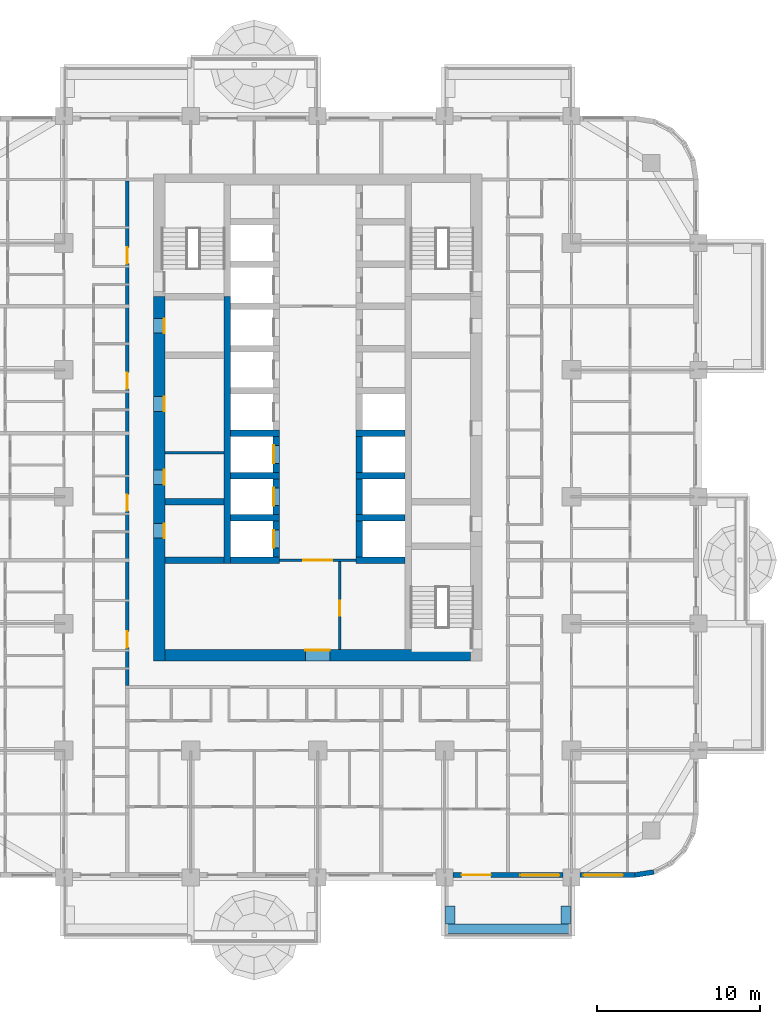
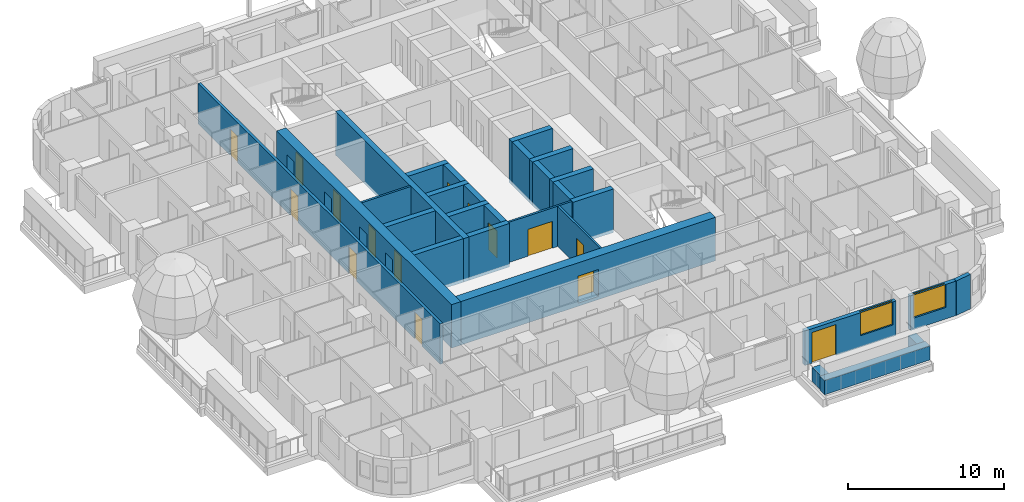
# One storey, part 6 of 18: 29 walls, 15 doors, 2 windows, 17 openings.
"""IFC4 building model written with IfcOpenShell, lengths in metres."""

from ifc_helpers import new_model, si_unit, direction, frame, frame_2d, origin, place, context, subcontext, project, spatial, rectangle, extrude, material, layer, layer_set, type_object, element, fill, save


model = new_model("IFC4")

# Units and contexts
model_context = context("Model", 3, precision=1e-05, world=origin(), true_north=direction((0.0, 1.0)))
body_context = subcontext(model_context, "Body", "Model", "MODEL_VIEW")
ifc_project = project(units=[si_unit("LENGTHUNIT", "METRE"), si_unit("AREAUNIT", "SQUARE_METRE"), si_unit("VOLUMEUNIT", "CUBIC_METRE"), si_unit("PLANEANGLEUNIT", "RADIAN"), si_unit("MASSUNIT", "GRAM", prefix="KILO")], contexts=[model_context])

# Site, building, storey
site_placement = place(None, origin())
site = spatial("IfcSite", under=ifc_project, at=site_placement, CompositionType="ELEMENT")
building_placement = place(site_placement, origin())
building = spatial("IfcBuilding", under=site, at=building_placement, Name="Ludao Terraces", CompositionType="ELEMENT")
storey_placement = place(building_placement, frame((0.0, 0.0, 26.300048828125)))
storey = spatial("IfcBuildingStorey", under=building, at=storey_placement, Name="L06", CompositionType="ELEMENT", Elevation=26.300048828125)

# Wall, openings, doors
ifc_material_1 = material(Name="Concrete C70", Category="concrete")
ifc_layer_1 = layer(ifc_material_1, 0.699951171875)
ifc_layer_set_1 = layer_set([ifc_layer_1], Name="Core wall 700 C70")
wall_type_1 = type_object("IfcWallType", Name="Core wall 700 C70", PredefinedType="SOLIDWALL", material=ifc_layer_set_1)
wall_1_placement = place(storey_placement, frame((75.25, 54.89990234375, -0.25), z_axis=(0.0, 0.0, 1.0), x_axis=(0.0, 1.0, 0.0)))
wall_1 = element("IfcWall", 1, at=wall_1_placement, inside=storey, type_object=wall_type_1, Name="Core wall L06 outer-W", PredefinedType="SOLIDWALL", context=body_context, shape_type="SweptSolid", body=[
    extrude(rectangle(XDim=22.400146484375, YDim=0.699951171875, at=frame_2d((11.2001953125, 0.0))), origin(), (0.0, 0.0, 1.0), 3.39990234375),
])
opening_1_placement = place(wall_1_placement, frame((7.550048828125, 0.0, 0.25)))
opening_1 = element("IfcOpeningElement", 2, at=opening_1_placement, cuts=wall_1, Name="Opening R01-075", PredefinedType="OPENING", context=body_context, shape_type="SweptSolid", body=[
    extrude(rectangle(XDim=0.89990234375, YDim=2.10009765625, at=frame_2d((0.449951171875, 1.050048828125))), frame((0.0, 0.35986328125, 0.0), z_axis=(0.0, -1.0, 0.0), x_axis=(1.0, 0.0, 0.0)), (0.0, 0.0, 1.0), 0.719970703125),
])
opening_2_placement = place(wall_1_placement, frame((10.85009765625, 0.0, 0.25)))
opening_2 = element("IfcOpeningElement", 3, at=opening_2_placement, cuts=wall_1, Name="Opening R01-087", PredefinedType="OPENING", context=body_context, shape_type="SweptSolid", body=[
    extrude(rectangle(XDim=0.89990234375, YDim=2.10009765625, at=frame_2d((0.449951171875, 1.050048828125))), frame((0.0, 0.35986328125, 0.0), z_axis=(0.0, -1.0, 0.0), x_axis=(1.0, 0.0, 0.0)), (0.0, 0.0, 1.0), 0.719970703125),
])
opening_3_placement = place(wall_1_placement, frame((15.35009765625, 0.0, 0.25)))
opening_3 = element("IfcOpeningElement", 4, at=opening_3_placement, cuts=wall_1, Name="Opening R01-101", PredefinedType="OPENING", context=body_context, shape_type="SweptSolid", body=[
    extrude(rectangle(XDim=0.89990234375, YDim=2.10009765625, at=frame_2d((0.449951171875, 1.050048828125))), frame((0.0, 0.35986328125, 0.0), z_axis=(0.0, -1.0, 0.0), x_axis=(1.0, 0.0, 0.0)), (0.0, 0.0, 1.0), 0.719970703125),
])
opening_4_placement = place(wall_1_placement, frame((20.14990234375, 0.0, 0.25)))
opening_4 = element("IfcOpeningElement", 5, at=opening_4_placement, cuts=wall_1, Name="Opening R01-117", PredefinedType="OPENING", context=body_context, shape_type="SweptSolid", body=[
    extrude(rectangle(XDim=0.89990234375, YDim=2.10009765625, at=frame_2d((0.449951171875, 1.050048828125))), frame((0.0, 0.35986328125, 0.0), z_axis=(0.0, -1.0, 0.0), x_axis=(1.0, 0.0, 0.0)), (0.0, 0.0, 1.0), 0.719970703125),
])
ifc_material_2 = material(Name="Steel Q235", Category="steel")
door_type_1 = type_object("IfcDoorType", Name="INT Riser door 900", OperationType="SINGLE_SWING_LEFT", PredefinedType="DOOR", material=ifc_material_2)
door_1_placement = place(opening_1_placement, origin())
door_1 = element("IfcDoor", 6, at=door_1_placement, inside=storey, type_object=door_type_1, Name="DOOR 075", OperationType="SINGLE_SWING_LEFT", OverallHeight=2.10009765625, OverallWidth=0.89990234375, PredefinedType="DOOR", context=body_context, shape_type="SweptSolid", body=[
    extrude(rectangle(XDim=0.89990234375, YDim=2.10009765625, at=frame_2d((0.449951171875, 1.050048828125))), frame((0.0, -0.28515625, 0.0), z_axis=(0.0, -1.0, 0.0), x_axis=(1.0, 0.0, 0.0)), (0.0, 0.0, 1.0), 0.050048828125),
])
fill(opening_1, door_1)
door_2_placement = place(opening_4_placement, origin())
door_2 = element("IfcDoor", 7, at=door_2_placement, inside=storey, type_object=door_type_1, Name="DOOR 117", OperationType="SINGLE_SWING_RIGHT", OverallHeight=2.10009765625, OverallWidth=0.89990234375, PredefinedType="DOOR", context=body_context, shape_type="SweptSolid", body=[
    extrude(rectangle(XDim=0.89990234375, YDim=2.10009765625, at=frame_2d((0.449951171875, 1.050048828125))), frame((0.0, -0.28515625, 0.0), z_axis=(0.0, -1.0, 0.0), x_axis=(1.0, 0.0, 0.0)), (0.0, 0.0, 1.0), 0.050048828125),
])
fill(opening_4, door_2)
ifc_material_3 = material(Name="Timber door leaf", Category="wood")
door_type_2 = type_object("IfcDoorType", Name="INT Room door 900", OperationType="SINGLE_SWING_LEFT", PredefinedType="DOOR", material=ifc_material_3)
door_3_placement = place(opening_2_placement, origin())
door_3 = element("IfcDoor", 8, at=door_3_placement, inside=storey, type_object=door_type_2, Name="DOOR 087", OperationType="SINGLE_SWING_RIGHT", OverallHeight=2.10009765625, OverallWidth=0.89990234375, PredefinedType="DOOR", context=body_context, shape_type="SweptSolid", body=[
    extrude(rectangle(XDim=0.89990234375, YDim=2.10009765625, at=frame_2d((0.449951171875, 1.050048828125))), frame((0.0, -0.28515625, 0.0), z_axis=(0.0, -1.0, 0.0), x_axis=(1.0, 0.0, 0.0)), (0.0, 0.0, 1.0), 0.050048828125),
])
fill(opening_2, door_3)
door_4_placement = place(opening_3_placement, origin())
door_4 = element("IfcDoor", 9, at=door_4_placement, inside=storey, type_object=door_type_2, Name="DOOR 101", OperationType="SINGLE_SWING_LEFT", OverallHeight=2.10009765625, OverallWidth=0.89990234375, PredefinedType="DOOR", context=body_context, shape_type="SweptSolid", body=[
    extrude(rectangle(XDim=0.89990234375, YDim=2.10009765625, at=frame_2d((0.449951171875, 1.050048828125))), frame((0.0, -0.28515625, 0.0), z_axis=(0.0, -1.0, 0.0), x_axis=(1.0, 0.0, 0.0)), (0.0, 0.0, 1.0), 0.050048828125),
])
fill(opening_3, door_4)

# Wall, opening, door
wall_2_placement = place(storey_placement, frame((75.60009765625, 55.25, -0.25), z_axis=(0.0, 0.0, 1.0), x_axis=(1.0, 0.0, 0.0)))
wall_2 = element("IfcWall", 10, at=wall_2_placement, inside=storey, type_object=wall_type_1, Name="Core wall L06 outer-S", PredefinedType="SOLIDWALL", context=body_context, shape_type="SweptSolid", body=[
    extrude(rectangle(XDim=18.7998046875, YDim=0.699951171875, at=frame_2d((9.39990234375, 0.0))), origin(), (0.0, 0.0, 1.0), 3.39990234375),
])
opening_5_placement = place(wall_2_placement, frame((8.64990234375, 0.0, 0.25)))
opening_5 = element("IfcOpeningElement", 11, at=opening_5_placement, cuts=wall_2, Name="Opening R01-051", PredefinedType="OPENING", context=body_context, shape_type="SweptSolid", body=[
    extrude(rectangle(XDim=1.5, YDim=2.10009765625, at=frame_2d((0.75, 1.050048828125))), frame((0.0, 0.35986328125, 0.0), z_axis=(0.0, -1.0, 0.0), x_axis=(1.0, 0.0, 0.0)), (0.0, 0.0, 1.0), 0.719970703125),
])
door_type_3 = type_object("IfcDoorType", Name="INT Lobby door 1500", OperationType="DOUBLE_DOOR_SINGLE_SWING", PredefinedType="DOOR", material=ifc_material_2)
door_5_placement = place(opening_5_placement, origin())
door_5 = element("IfcDoor", 12, at=door_5_placement, inside=storey, type_object=door_type_3, Name="DOOR 051", OperationType="DOUBLE_DOOR_SINGLE_SWING", OverallHeight=2.10009765625, OverallWidth=1.5, PredefinedType="DOOR", context=body_context, shape_type="SweptSolid", body=[
    extrude(rectangle(XDim=1.5, YDim=2.10009765625, at=frame_2d((0.75, 1.050048828125))), frame((0.0, 0.3349609375, 0.0), z_axis=(0.0, -1.0, 0.0), x_axis=(1.0, 0.0, 0.0)), (0.0, 0.0, 1.0), 0.050048828125),
])
fill(opening_5, door_5)

# Walls
ifc_material_4 = material(Name="Concrete C40", Category="concrete")
ifc_layer_2 = layer(ifc_material_4, 0.60009765625)
ifc_layer_set_2 = layer_set([ifc_layer_2], Name="ENV Planter trough 600")
wall_type_2 = type_object("IfcWallType", Name="ENV Planter trough 600", PredefinedType="USERDEFINED", material=ifc_layer_set_2)
wall_3_placement = place(storey_placement, frame((92.800048828125, 38.449951171875, 0.0), z_axis=(0.0, 0.0, 1.0), x_axis=(1.0, 0.0, 0.0)))
element("IfcWall", 13, at=wall_3_placement, inside=storey, type_object=wall_type_2, Name="PL-L06-S4", ObjectType="PLANTER", PredefinedType="USERDEFINED", context=body_context, shape_type="SweptSolid", body=[
    extrude(rectangle(XDim=7.800048828125, YDim=0.60009765625, at=frame_2d((3.89990234375, 0.0))), origin(), (0.0, 0.0, 1.0), 1.099853515625),
])
for number, where, z_axis, x_axis, name in (
    (14, (93.14990234375, 38.75, 0.0), (0.0, 0.0, 1.0), (0.0, 1.0, 0.0), "PL-L06-S4-SA"),
    (15, (100.25, 38.75, 0.0), (0.0, 0.0, 1.0), (0.0, 1.0, 0.0), "PL-L06-S4-SB"),
):
    element("IfcWall", number, at=place(storey_placement, frame(where, z_axis=z_axis, x_axis=x_axis)), inside=storey, type_object=wall_type_2, Name=name, ObjectType="PLANTER", PredefinedType="USERDEFINED", context=body_context, shape_type="SweptSolid", body=[
        extrude(rectangle(XDim=1.10009765625, YDim=0.60009765625, at=frame_2d((0.550048828125, 0.0))), origin(), (0.0, 0.0, 1.0), 1.099853515625),
    ])

# Wall, openings, door, window
ifc_material_5 = material(Name="Granite cladding", Category="masonry")
ifc_layer_3 = layer(ifc_material_5, 0.0400390625, Category="stone")
ifc_material_6 = material(Name="Mineral wool")
ifc_layer_4 = layer(ifc_material_6, 0.06005859375)
ifc_layer_5 = layer(ifc_material_4, 0.199951171875, Category="concrete")
ifc_layer_set_3 = layer_set([ifc_layer_3, ifc_layer_4, ifc_layer_5], Name="ENV Stone-clad wall 300")
wall_type_3 = type_object("IfcWallType", Name="ENV Stone-clad wall 300", PredefinedType="SOLIDWALL", material=ifc_layer_set_3)
wall_4_placement = place(storey_placement, frame((93.324951171875, 41.75, 0.0), z_axis=(0.0, 0.0, 1.0), x_axis=(1.0, 0.0, 0.0)))
wall_4 = element("IfcWall", 16, at=wall_4_placement, inside=storey, type_object=wall_type_3, Name="EW-L06-S5", PredefinedType="SOLIDWALL", context=body_context, shape_type="SweptSolid", body=[
    extrude(rectangle(XDim=6.75, YDim=0.300048828125, at=frame_2d((3.375, 0.0))), origin(), (0.0, 0.0, 1.0), 2.699951171875),
])
opening_6_placement = place(wall_4_placement, frame((0.52490234375, 0.0, 0.0)))
opening_6 = element("IfcOpeningElement", 17, at=opening_6_placement, cuts=wall_4, Name="Opening BD", PredefinedType="OPENING", context=body_context, shape_type="SweptSolid", body=[
    extrude(rectangle(XDim=1.800048828125, YDim=2.39990234375, at=frame_2d((0.89990234375, 1.199951171875))), frame((0.0, 0.16015625, 0.0), z_axis=(0.0, -1.0, 0.0), x_axis=(1.0, 0.0, 0.0)), (0.0, 0.0, 1.0), 0.320068359375),
])
opening_7_placement = place(wall_4_placement, frame((4.125, 0.0, 0.89990234375)))
opening_7 = element("IfcOpeningElement", 18, at=opening_7_placement, cuts=wall_4, Name="Opening W1", PredefinedType="OPENING", context=body_context, shape_type="SweptSolid", body=[
    extrude(rectangle(XDim=2.39990234375, YDim=1.800048828125, at=frame_2d((1.199951171875, 0.89990234375))), frame((0.0, 0.16015625, 0.0), z_axis=(0.0, -1.0, 0.0), x_axis=(1.0, 0.0, 0.0)), (0.0, 0.0, 1.0), 0.320068359375),
])
ifc_material_7 = material(Name="Aluminium glazed door", Category="aluminium")
ifc_layer_6 = layer(ifc_material_7, 0.06005859375)
ifc_layer_set_4 = layer_set([ifc_layer_6], Name="ENV Balcony door BD 1800x2400")
door_type_4 = type_object("IfcDoorType", Name="ENV Balcony door BD 1800x2400", OperationType="DOUBLE_DOOR_SINGLE_SWING", PredefinedType="DOOR", material=ifc_layer_set_4)
door_6_placement = place(opening_6_placement, origin())
door_6 = element("IfcDoor", 19, at=door_6_placement, inside=storey, type_object=door_type_4, Name="BD-L06-S5-1", OperationType="DOUBLE_DOOR_SINGLE_SWING", OverallHeight=2.39990234375, OverallWidth=1.800048828125, PredefinedType="DOOR", context=body_context, shape_type="SweptSolid", body=[
    extrude(rectangle(XDim=1.800048828125, YDim=2.39990234375, at=frame_2d((0.89990234375, 1.199951171875))), frame((0.0, 0.02490234375, 0.0), z_axis=(0.0, -1.0, 0.0), x_axis=(1.0, 0.0, 0.0)), (0.0, 0.0, 1.0), 0.050048828125),
])
fill(opening_6, door_6)
ifc_material_8 = material(Name="Clear glass in aluminium frame", Category="aluminium")
ifc_layer_7 = layer(ifc_material_8, 0.06005859375)
ifc_layer_set_5 = layer_set([ifc_layer_7], Name="ENV Window W1 2400x1800")
window_type = type_object("IfcWindowType", Name="ENV Window W1 2400x1800", PartitioningType="DOUBLE_PANEL_VERTICAL", PredefinedType="WINDOW", material=ifc_layer_set_5)
window_1_placement = place(opening_7_placement, origin())
window_1 = element("IfcWindow", 20, at=window_1_placement, inside=storey, type_object=window_type, Name="W-L06-S5-2", OverallHeight=1.800048828125, OverallWidth=2.39990234375, PartitioningType="DOUBLE_PANEL_VERTICAL", PredefinedType="WINDOW", context=body_context, shape_type="SweptSolid", body=[
    extrude(rectangle(XDim=2.39990234375, YDim=1.800048828125, at=frame_2d((1.199951171875, 0.89990234375))), frame((0.0, 0.030029296875, 0.0), z_axis=(0.0, -1.0, 0.0), x_axis=(1.0, 0.0, 0.0)), (0.0, 0.0, 1.0), 0.06005859375),
])
fill(opening_7, window_1)

# Wall, opening, window
wall_5_placement = place(storey_placement, frame((101.125, 41.75, 0.0), z_axis=(0.0, 0.0, 1.0), x_axis=(1.0, 0.0, 0.0)))
wall_5 = element("IfcWall", 21, at=wall_5_placement, inside=storey, type_object=wall_type_3, Name="EW-L06-S6", PredefinedType="SOLIDWALL", context=body_context, shape_type="SweptSolid", body=[
    extrude(rectangle(XDim=3.375, YDim=0.300048828125, at=frame_2d((1.6875, 0.0))), origin(), (0.0, 0.0, 1.0), 2.699951171875),
])
opening_8_placement = place(wall_5_placement, frame((0.22509765625, 0.0, 0.89990234375)))
opening_8 = element("IfcOpeningElement", 22, at=opening_8_placement, cuts=wall_5, Name="Opening W1", PredefinedType="OPENING", context=body_context, shape_type="SweptSolid", body=[
    extrude(rectangle(XDim=2.39990234375, YDim=1.800048828125, at=frame_2d((1.199951171875, 0.89990234375))), frame((0.0, 0.16015625, 0.0), z_axis=(0.0, -1.0, 0.0), x_axis=(1.0, 0.0, 0.0)), (0.0, 0.0, 1.0), 0.320068359375),
])
window_2_placement = place(opening_8_placement, origin())
window_2 = element("IfcWindow", 23, at=window_2_placement, inside=storey, type_object=window_type, Name="W-L06-S6-1", OverallHeight=1.800048828125, OverallWidth=2.39990234375, PartitioningType="DOUBLE_PANEL_VERTICAL", PredefinedType="WINDOW", context=body_context, shape_type="SweptSolid", body=[
    extrude(rectangle(XDim=2.39990234375, YDim=1.800048828125, at=frame_2d((1.199951171875, 0.89990234375))), frame((0.0, 0.030029296875, 0.0), z_axis=(0.0, -1.0, 0.0), x_axis=(1.0, 0.0, 0.0)), (0.0, 0.0, 1.0), 0.06005859375),
])
fill(opening_8, window_2)

# Wall
wall_6_placement = place(storey_placement, frame((104.5, 41.75, 0.0), z_axis=(0.0, 0.0, 1.0), x_axis=(0.987678452879, 0.156496880861, 0.0)))
element("IfcWall", 24, at=wall_6_placement, inside=storey, type_object=wall_type_3, Name="EW-L06-SE1", PredefinedType="SOLIDWALL", context=body_context, shape_type="SweptSolid", body=[
    extrude(rectangle(XDim=1.173095703125, YDim=0.300048828125, at=frame_2d((0.58642578125, 0.0))), origin(), (0.0, 0.0, 1.0), 2.699951171875),
])

# Wall, opening, door
ifc_material_9 = material(Name="Fire-rated gypsum plasterboard", Category="gypsum")
ifc_layer_8 = layer(ifc_material_9, 0.012451171875, Category="gypsum")
ifc_layer_9 = layer(ifc_material_6, 0.10009765625, Name="insulation")
ifc_layer_10 = layer(ifc_material_2, 0.02490234375, Name="stud")
ifc_layer_11 = layer(ifc_material_9, 0.012451171875, Category="gypsum")
ifc_layer_set_6 = layer_set([ifc_layer_8, ifc_layer_9, ifc_layer_10, ifc_layer_11], Name="INT Core partition 150")
wall_type_4 = type_object("IfcWallType", Name="INT Core partition 150", PredefinedType="PARTITIONING", material=ifc_layer_set_6)
wall_7_placement = place(storey_placement, frame((82.650146484375, 61.10009765625, 0.0), z_axis=(0.0, 0.0, 1.0), x_axis=(1.0, 0.0, 0.0)))
wall_7 = element("IfcWall", 25, at=wall_7_placement, inside=storey, type_object=wall_type_4, Name="PW-L06-PW032", PredefinedType="PARTITIONING", context=body_context, shape_type="SweptSolid", body=[
    extrude(rectangle(XDim=4.699951171875, YDim=0.14990234375, at=frame_2d((2.35009765625, 0.0))), origin(), (0.0, 0.0, 1.0), 3.14990234375),
])
opening_9_placement = place(wall_7_placement, frame((1.449951171875, 0.0, 0.0)))
opening_9 = element("IfcOpeningElement", 26, at=opening_9_placement, cuts=wall_7, Name="Opening R01-070", PredefinedType="OPENING", context=body_context, shape_type="SweptSolid", body=[
    extrude(rectangle(XDim=1.800048828125, YDim=2.10009765625, at=frame_2d((0.89990234375, 1.050048828125))), frame((0.0, 0.0849609375, 0.0), z_axis=(0.0, -1.0, 0.0), x_axis=(1.0, 0.0, 0.0)), (0.0, 0.0, 1.0), 0.169921875),
])
door_type_5 = type_object("IfcDoorType", Name="INT Fire lobby door 1800", OperationType="DOUBLE_DOOR_SINGLE_SWING", PredefinedType="DOOR", material=ifc_material_2)
door_7_placement = place(opening_9_placement, origin())
door_7 = element("IfcDoor", 27, at=door_7_placement, inside=storey, type_object=door_type_5, Name="DOOR 070", OperationType="DOUBLE_DOOR_SINGLE_SWING", OverallHeight=2.10009765625, OverallWidth=1.800048828125, PredefinedType="DOOR", context=body_context, shape_type="SweptSolid", body=[
    extrude(rectangle(XDim=1.800048828125, YDim=2.10009765625, at=frame_2d((0.89990234375, 1.050048828125))), frame((0.0, 0.02490234375, 0.0), z_axis=(0.0, -1.0, 0.0), x_axis=(1.0, 0.0, 0.0)), (0.0, 0.0, 1.0), 0.050048828125),
])
fill(opening_9, door_7)

# Wall
wall_8_placement = place(storey_placement, frame((75.60009765625, 67.699951171875, 0.0), z_axis=(0.0, 0.0, 1.0), x_axis=(1.0, 0.0, 0.0)))
element("IfcWall", 28, at=wall_8_placement, inside=storey, type_object=wall_type_4, Name="PW-L06-PW044", PredefinedType="PARTITIONING", context=body_context, shape_type="SweptSolid", body=[
    extrude(rectangle(XDim=3.64990234375, YDim=0.14990234375, at=frame_2d((1.824951171875, 0.0))), origin(), (0.0, 0.0, 1.0), 3.14990234375),
])

# Wall, opening, door
wall_9_placement = place(storey_placement, frame((86.35009765625, 55.60009765625, 0.0), z_axis=(0.0, 0.0, 1.0), x_axis=(0.0, 1.0, 0.0)))
wall_9 = element("IfcWall", 29, at=wall_9_placement, inside=storey, type_object=wall_type_4, Name="PW-L06-PW099", PredefinedType="PARTITIONING", context=body_context, shape_type="SweptSolid", body=[
    extrude(rectangle(XDim=5.425048828125, YDim=0.14990234375, at=frame_2d((2.71240234375, 0.0))), origin(), (0.0, 0.0, 1.0), 3.14990234375),
])
opening_10_placement = place(wall_9_placement, frame((2.10009765625, 0.0, 0.0)))
opening_10 = element("IfcOpeningElement", 30, at=opening_10_placement, cuts=wall_9, Name="Opening R01-060", PredefinedType="OPENING", context=body_context, shape_type="SweptSolid", body=[
    extrude(rectangle(XDim=0.89990234375, YDim=2.10009765625, at=frame_2d((0.449951171875, 1.050048828125))), frame((0.0, 0.0849609375, 0.0), z_axis=(0.0, -1.0, 0.0), x_axis=(1.0, 0.0, 0.0)), (0.0, 0.0, 1.0), 0.169921875),
])
door_8_placement = place(opening_10_placement, origin())
door_8 = element("IfcDoor", 31, at=door_8_placement, inside=storey, type_object=door_type_2, Name="DOOR 060", OperationType="SINGLE_SWING_RIGHT", OverallHeight=2.10009765625, OverallWidth=0.89990234375, PredefinedType="DOOR", context=body_context, shape_type="SweptSolid", body=[
    extrude(rectangle(XDim=0.89990234375, YDim=2.10009765625, at=frame_2d((0.449951171875, 1.050048828125))), frame((0.0, 0.02490234375, 0.0), z_axis=(0.0, -1.0, 0.0), x_axis=(1.0, 0.0, 0.0)), (0.0, 0.0, 1.0), 0.050048828125),
])
fill(opening_10, door_8)

# Wall, openings, doors
ifc_material_10 = material(Name="Autoclaved aerated concrete block B06 A3.5", Category="concrete")
ifc_layer_12 = layer(ifc_material_10, 0.199951171875)
ifc_layer_set_7 = layer_set([ifc_layer_12], Name="INT Entrance wall 200")
wall_type_5 = type_object("IfcWallType", Name="INT Entrance wall 200", PredefinedType="PARTITIONING", material=ifc_layer_set_7)
wall_10_placement = place(storey_placement, frame((73.300048828125, 53.400146484375, 0.0), z_axis=(0.0, 0.0, 1.0), x_axis=(0.0, 1.0, 0.0)))
wall_10 = element("IfcWall", 32, at=wall_10_placement, inside=storey, type_object=wall_type_5, Name="PW-L06-PW084", PredefinedType="PARTITIONING", context=body_context, shape_type="SweptSolid", body=[
    extrude(rectangle(XDim=31.0, YDim=0.199951171875, at=frame_2d((15.5, 0.0))), origin(), (0.0, 0.0, 1.0), 3.14990234375),
])
opening_11_placement = place(wall_10_placement, frame((2.324951171875, 0.0, 0.0)))
opening_11 = element("IfcOpeningElement", 33, at=opening_11_placement, cuts=wall_10, Name="Opening R01-056", PredefinedType="OPENING", context=body_context, shape_type="SweptSolid", body=[
    extrude(rectangle(XDim=1.0, YDim=2.10009765625, at=frame_2d((0.5, 1.050048828125))), frame((0.0, 0.10986328125, 0.0), z_axis=(0.0, -1.0, 0.0), x_axis=(1.0, 0.0, 0.0)), (0.0, 0.0, 1.0), 0.219970703125),
])
opening_12_placement = place(wall_10_placement, frame((10.72509765625, 0.0, 0.0)))
opening_12 = element("IfcOpeningElement", 34, at=opening_12_placement, cuts=wall_10, Name="Opening R01-082", PredefinedType="OPENING", context=body_context, shape_type="SweptSolid", body=[
    extrude(rectangle(XDim=1.0, YDim=2.10009765625, at=frame_2d((0.5, 1.050048828125))), frame((0.0, 0.10986328125, 0.0), z_axis=(0.0, -1.0, 0.0), x_axis=(1.0, 0.0, 0.0)), (0.0, 0.0, 1.0), 0.219970703125),
])
opening_13_placement = place(wall_10_placement, frame((18.22509765625, 0.0, 0.0)))
opening_13 = element("IfcOpeningElement", 35, at=opening_13_placement, cuts=wall_10, Name="Opening R01-106", PredefinedType="OPENING", context=body_context, shape_type="SweptSolid", body=[
    extrude(rectangle(XDim=1.0, YDim=2.10009765625, at=frame_2d((0.5, 1.050048828125))), frame((0.0, 0.10986328125, 0.0), z_axis=(0.0, -1.0, 0.0), x_axis=(1.0, 0.0, 0.0)), (0.0, 0.0, 1.0), 0.219970703125),
])
opening_14_placement = place(wall_10_placement, frame((25.925048828125, 0.0, 0.0)))
opening_14 = element("IfcOpeningElement", 36, at=opening_14_placement, cuts=wall_10, Name="Opening R01-133", PredefinedType="OPENING", context=body_context, shape_type="SweptSolid", body=[
    extrude(rectangle(XDim=1.0, YDim=2.10009765625, at=frame_2d((0.5, 1.050048828125))), frame((0.0, 0.10986328125, 0.0), z_axis=(0.0, -1.0, 0.0), x_axis=(1.0, 0.0, 0.0)), (0.0, 0.0, 1.0), 0.219970703125),
])
door_type_6 = type_object("IfcDoorType", Name="INT Flat entrance door 1000", OperationType="SINGLE_SWING_LEFT", PredefinedType="DOOR", material=ifc_material_2)
door_9_placement = place(opening_11_placement, origin())
door_9 = element("IfcDoor", 37, at=door_9_placement, inside=storey, type_object=door_type_6, Name="DOOR 056", OperationType="SINGLE_SWING_RIGHT", OverallHeight=2.10009765625, OverallWidth=1.0, PredefinedType="DOOR", context=body_context, shape_type="SweptSolid", body=[
    extrude(rectangle(XDim=1.0, YDim=2.10009765625, at=frame_2d((0.5, 1.050048828125))), frame((0.0, 0.02490234375, 0.0), z_axis=(0.0, -1.0, 0.0), x_axis=(1.0, 0.0, 0.0)), (0.0, 0.0, 1.0), 0.050048828125),
])
fill(opening_11, door_9)
door_10_placement = place(opening_12_placement, origin())
door_10 = element("IfcDoor", 38, at=door_10_placement, inside=storey, type_object=door_type_6, Name="DOOR 082", OperationType="SINGLE_SWING_RIGHT", OverallHeight=2.10009765625, OverallWidth=1.0, PredefinedType="DOOR", context=body_context, shape_type="SweptSolid", body=[
    extrude(rectangle(XDim=1.0, YDim=2.10009765625, at=frame_2d((0.5, 1.050048828125))), frame((0.0, 0.02490234375, 0.0), z_axis=(0.0, -1.0, 0.0), x_axis=(1.0, 0.0, 0.0)), (0.0, 0.0, 1.0), 0.050048828125),
])
fill(opening_12, door_10)
door_11_placement = place(opening_13_placement, origin())
door_11 = element("IfcDoor", 39, at=door_11_placement, inside=storey, type_object=door_type_6, Name="DOOR 106", OperationType="SINGLE_SWING_RIGHT", OverallHeight=2.10009765625, OverallWidth=1.0, PredefinedType="DOOR", context=body_context, shape_type="SweptSolid", body=[
    extrude(rectangle(XDim=1.0, YDim=2.10009765625, at=frame_2d((0.5, 1.050048828125))), frame((0.0, 0.02490234375, 0.0), z_axis=(0.0, -1.0, 0.0), x_axis=(1.0, 0.0, 0.0)), (0.0, 0.0, 1.0), 0.050048828125),
])
fill(opening_13, door_11)
door_12_placement = place(opening_14_placement, origin())
door_12 = element("IfcDoor", 40, at=door_12_placement, inside=storey, type_object=door_type_6, Name="DOOR 133", OperationType="SINGLE_SWING_RIGHT", OverallHeight=2.10009765625, OverallWidth=1.0, PredefinedType="DOOR", context=body_context, shape_type="SweptSolid", body=[
    extrude(rectangle(XDim=1.0, YDim=2.10009765625, at=frame_2d((0.5, 1.050048828125))), frame((0.0, 0.02490234375, 0.0), z_axis=(0.0, -1.0, 0.0), x_axis=(1.0, 0.0, 0.0)), (0.0, 0.0, 1.0), 0.050048828125),
])
fill(opening_14, door_12)

# Walls
ifc_material_11 = material(Name="Concrete C60", Category="concrete")
ifc_layer_13 = layer(ifc_material_11, 0.39990234375)
ifc_layer_set_8 = layer_set([ifc_layer_13], Name="Shaft wall 400 C60")
wall_type_6 = type_object("IfcWallType", Name="Shaft wall 400 C60", PredefinedType="SOLIDWALL", material=ifc_layer_set_8)
wall_11_placement = place(storey_placement, frame((79.449951171875, 60.89990234375, -0.25), z_axis=(0.0, 0.0, 1.0), x_axis=(0.0, 1.0, 0.0)))
element("IfcWall", 41, at=wall_11_placement, inside=storey, type_object=wall_type_6, Name="Core wall L06 back-W", PredefinedType="SOLIDWALL", context=body_context, shape_type="SweptSolid", body=[
    extrude(rectangle(XDim=16.400146484375, YDim=0.39990234375, at=frame_2d((8.2001953125, 0.0))), origin(), (0.0, 0.0, 1.0), 3.39990234375),
])
wall_12_placement = place(storey_placement, frame((79.64990234375, 61.10009765625, -0.25), z_axis=(0.0, 0.0, 1.0), x_axis=(1.0, 0.0, 0.0)))
element("IfcWall", 42, at=wall_12_placement, inside=storey, type_object=wall_type_6, Name="Core wall L06 div-W1", PredefinedType="SOLIDWALL", context=body_context, shape_type="SweptSolid", body=[
    extrude(rectangle(XDim=3.0, YDim=0.39990234375, at=frame_2d((1.5, 0.0))), origin(), (0.0, 0.0, 1.0), 3.39990234375),
])

# Wall, opening, door
wall_13_placement = place(storey_placement, frame((82.449951171875, 61.300048828125, -0.25), z_axis=(0.0, 0.0, 1.0), x_axis=(0.0, 1.0, 0.0)))
wall_13 = element("IfcWall", 43, at=wall_13_placement, inside=storey, type_object=wall_type_6, Name="Core wall L06 front-W1", PredefinedType="SOLIDWALL", context=body_context, shape_type="SweptSolid", body=[
    extrude(rectangle(XDim=2.199951171875, YDim=0.39990234375, at=frame_2d((1.10009765625, 0.0))), origin(), (0.0, 0.0, 1.0), 3.39990234375),
])
opening_15_placement = place(wall_13_placement, frame((0.550048828125, 0.0, 0.25)))
opening_15 = element("IfcOpeningElement", 44, at=opening_15_placement, cuts=wall_13, Name="Opening LD-LA1", PredefinedType="OPENING", context=body_context, shape_type="SweptSolid", body=[
    extrude(rectangle(XDim=1.10009765625, YDim=2.10009765625, at=frame_2d((0.550048828125, 1.050048828125))), frame((0.0, 0.2099609375, 0.0), z_axis=(0.0, -1.0, 0.0), x_axis=(1.0, 0.0, 0.0)), (0.0, 0.0, 1.0), 0.419921875),
])
ifc_material_12 = material(Name="Stainless steel 304", Category="steel")
door_type_7 = type_object("IfcDoorType", Name="INT Lift landing door 1100", OperationType="SLIDING_TO_LEFT", PredefinedType="DOOR", material=ifc_material_12)
door_13_placement = place(opening_15_placement, origin())
door_13 = element("IfcDoor", 45, at=door_13_placement, inside=storey, type_object=door_type_7, Name="LANDING DOOR LA1 L06", OperationType="SLIDING_TO_RIGHT", OverallHeight=2.10009765625, OverallWidth=1.10009765625, PredefinedType="DOOR", context=body_context, shape_type="SweptSolid", body=[
    extrude(rectangle(XDim=1.10009765625, YDim=2.10009765625, at=frame_2d((0.550048828125, 1.050048828125))), frame((0.0, 0.18505859375, 0.0), z_axis=(0.0, -1.0, 0.0), x_axis=(1.0, 0.0, 0.0)), (0.0, 0.0, 1.0), 0.050048828125),
])
fill(opening_15, door_13)

# Wall
wall_14_placement = place(storey_placement, frame((79.64990234375, 63.699951171875, -0.25), z_axis=(0.0, 0.0, 1.0), x_axis=(1.0, 0.0, 0.0)))
element("IfcWall", 46, at=wall_14_placement, inside=storey, type_object=wall_type_6, Name="Core wall L06 div-W2", PredefinedType="SOLIDWALL", context=body_context, shape_type="SweptSolid", body=[
    extrude(rectangle(XDim=3.0, YDim=0.39990234375, at=frame_2d((1.5, 0.0))), origin(), (0.0, 0.0, 1.0), 3.39990234375),
])

# Wall, opening, door
wall_15_placement = place(storey_placement, frame((82.449951171875, 63.89990234375, -0.25), z_axis=(0.0, 0.0, 1.0), x_axis=(0.0, 1.0, 0.0)))
wall_15 = element("IfcWall", 47, at=wall_15_placement, inside=storey, type_object=wall_type_6, Name="Core wall L06 front-W2", PredefinedType="SOLIDWALL", context=body_context, shape_type="SweptSolid", body=[
    extrude(rectangle(XDim=2.2001953125, YDim=0.39990234375, at=frame_2d((1.10009765625, 0.0))), origin(), (0.0, 0.0, 1.0), 3.39990234375),
])
opening_16_placement = place(wall_15_placement, frame((0.550048828125, 0.0, 0.25)))
opening_16 = element("IfcOpeningElement", 48, at=opening_16_placement, cuts=wall_15, Name="Opening LD-LA2", PredefinedType="OPENING", context=body_context, shape_type="SweptSolid", body=[
    extrude(rectangle(XDim=1.10009765625, YDim=2.10009765625, at=frame_2d((0.550048828125, 1.050048828125))), frame((0.0, 0.2099609375, 0.0), z_axis=(0.0, -1.0, 0.0), x_axis=(1.0, 0.0, 0.0)), (0.0, 0.0, 1.0), 0.419921875),
])
door_14_placement = place(opening_16_placement, origin())
door_14 = element("IfcDoor", 49, at=door_14_placement, inside=storey, type_object=door_type_7, Name="LANDING DOOR LA2 L06", OperationType="SLIDING_TO_RIGHT", OverallHeight=2.10009765625, OverallWidth=1.10009765625, PredefinedType="DOOR", context=body_context, shape_type="SweptSolid", body=[
    extrude(rectangle(XDim=1.10009765625, YDim=2.10009765625, at=frame_2d((0.550048828125, 1.050048828125))), frame((0.0, 0.18505859375, 0.0), z_axis=(0.0, -1.0, 0.0), x_axis=(1.0, 0.0, 0.0)), (0.0, 0.0, 1.0), 0.050048828125),
])
fill(opening_16, door_14)

# Wall
wall_16_placement = place(storey_placement, frame((79.64990234375, 66.300048828125, -0.25), z_axis=(0.0, 0.0, 1.0), x_axis=(1.0, 0.0, 0.0)))
element("IfcWall", 50, at=wall_16_placement, inside=storey, type_object=wall_type_6, Name="Core wall L06 div-W3", PredefinedType="SOLIDWALL", context=body_context, shape_type="SweptSolid", body=[
    extrude(rectangle(XDim=3.0, YDim=0.39990234375, at=frame_2d((1.5, 0.0))), origin(), (0.0, 0.0, 1.0), 3.39990234375),
])

# Wall, opening, door
wall_17_placement = place(storey_placement, frame((82.449951171875, 66.5, -0.25), z_axis=(0.0, 0.0, 1.0), x_axis=(0.0, 1.0, 0.0)))
wall_17 = element("IfcWall", 51, at=wall_17_placement, inside=storey, type_object=wall_type_6, Name="Core wall L06 front-W3", PredefinedType="SOLIDWALL", context=body_context, shape_type="SweptSolid", body=[
    extrude(rectangle(XDim=2.199951171875, YDim=0.39990234375, at=frame_2d((1.10009765625, 0.0))), origin(), (0.0, 0.0, 1.0), 3.39990234375),
])
opening_17_placement = place(wall_17_placement, frame((0.550048828125, 0.0, 0.25)))
opening_17 = element("IfcOpeningElement", 52, at=opening_17_placement, cuts=wall_17, Name="Opening LD-LA3", PredefinedType="OPENING", context=body_context, shape_type="SweptSolid", body=[
    extrude(rectangle(XDim=1.10009765625, YDim=2.10009765625, at=frame_2d((0.550048828125, 1.050048828125))), frame((0.0, 0.2099609375, 0.0), z_axis=(0.0, -1.0, 0.0), x_axis=(1.0, 0.0, 0.0)), (0.0, 0.0, 1.0), 0.419921875),
])
door_15_placement = place(opening_17_placement, origin())
door_15 = element("IfcDoor", 53, at=door_15_placement, inside=storey, type_object=door_type_7, Name="LANDING DOOR LA3 L06", OperationType="SLIDING_TO_RIGHT", OverallHeight=2.10009765625, OverallWidth=1.10009765625, PredefinedType="DOOR", context=body_context, shape_type="SweptSolid", body=[
    extrude(rectangle(XDim=1.10009765625, YDim=2.10009765625, at=frame_2d((0.550048828125, 1.050048828125))), frame((0.0, 0.18505859375, 0.0), z_axis=(0.0, -1.0, 0.0), x_axis=(1.0, 0.0, 0.0)), (0.0, 0.0, 1.0), 0.050048828125),
])
fill(opening_17, door_15)

# Walls
for number, where, z_axis, x_axis, name in (
    (54, (79.64990234375, 68.89990234375, -0.25), (0.0, 0.0, 1.0), (1.0, 0.0, 0.0), "Core wall L06 div-W4"),
    (55, (87.35009765625, 61.10009765625, -0.25), (0.0, 0.0, 1.0), (1.0, 0.0, 0.0), "Core wall L06 div-E1"),
):
    element("IfcWall", number, at=place(storey_placement, frame(where, z_axis=z_axis, x_axis=x_axis)), inside=storey, type_object=wall_type_6, Name=name, PredefinedType="SOLIDWALL", context=body_context, shape_type="SweptSolid", body=[
        extrude(rectangle(XDim=3.0, YDim=0.39990234375, at=frame_2d((1.5, 0.0))), origin(), (0.0, 0.0, 1.0), 3.39990234375),
    ])
wall_18_placement = place(storey_placement, frame((87.550048828125, 61.300048828125, -0.25), z_axis=(0.0, 0.0, 1.0), x_axis=(0.0, 1.0, 0.0)))
element("IfcWall", 56, at=wall_18_placement, inside=storey, type_object=wall_type_6, Name="Core wall L06 front-E1", PredefinedType="SOLIDWALL", context=body_context, shape_type="SweptSolid", body=[
    extrude(rectangle(XDim=2.199951171875, YDim=0.39990234375, at=frame_2d((1.10009765625, 0.0))), origin(), (0.0, 0.0, 1.0), 3.39990234375),
])
wall_19_placement = place(storey_placement, frame((87.35009765625, 63.699951171875, -0.25), z_axis=(0.0, 0.0, 1.0), x_axis=(1.0, 0.0, 0.0)))
element("IfcWall", 57, at=wall_19_placement, inside=storey, type_object=wall_type_6, Name="Core wall L06 div-E2", PredefinedType="SOLIDWALL", context=body_context, shape_type="SweptSolid", body=[
    extrude(rectangle(XDim=3.0, YDim=0.39990234375, at=frame_2d((1.5, 0.0))), origin(), (0.0, 0.0, 1.0), 3.39990234375),
])
wall_20_placement = place(storey_placement, frame((87.550048828125, 63.89990234375, -0.25), z_axis=(0.0, 0.0, 1.0), x_axis=(0.0, 1.0, 0.0)))
element("IfcWall", 58, at=wall_20_placement, inside=storey, type_object=wall_type_6, Name="Core wall L06 front-E2", PredefinedType="SOLIDWALL", context=body_context, shape_type="SweptSolid", body=[
    extrude(rectangle(XDim=2.2001953125, YDim=0.39990234375, at=frame_2d((1.10009765625, 0.0))), origin(), (0.0, 0.0, 1.0), 3.39990234375),
])
wall_21_placement = place(storey_placement, frame((87.35009765625, 66.300048828125, -0.25), z_axis=(0.0, 0.0, 1.0), x_axis=(1.0, 0.0, 0.0)))
element("IfcWall", 59, at=wall_21_placement, inside=storey, type_object=wall_type_6, Name="Core wall L06 div-E3", PredefinedType="SOLIDWALL", context=body_context, shape_type="SweptSolid", body=[
    extrude(rectangle(XDim=3.0, YDim=0.39990234375, at=frame_2d((1.5, 0.0))), origin(), (0.0, 0.0, 1.0), 3.39990234375),
])
wall_22_placement = place(storey_placement, frame((87.550048828125, 66.5, -0.25), z_axis=(0.0, 0.0, 1.0), x_axis=(0.0, 1.0, 0.0)))
element("IfcWall", 60, at=wall_22_placement, inside=storey, type_object=wall_type_6, Name="Core wall L06 front-E3", PredefinedType="SOLIDWALL", context=body_context, shape_type="SweptSolid", body=[
    extrude(rectangle(XDim=2.199951171875, YDim=0.39990234375, at=frame_2d((1.10009765625, 0.0))), origin(), (0.0, 0.0, 1.0), 3.39990234375),
])
wall_23_placement = place(storey_placement, frame((87.35009765625, 68.89990234375, -0.25), z_axis=(0.0, 0.0, 1.0), x_axis=(1.0, 0.0, 0.0)))
element("IfcWall", 61, at=wall_23_placement, inside=storey, type_object=wall_type_6, Name="Core wall L06 div-E4", PredefinedType="SOLIDWALL", context=body_context, shape_type="SweptSolid", body=[
    extrude(rectangle(XDim=3.0, YDim=0.39990234375, at=frame_2d((1.5, 0.0))), origin(), (0.0, 0.0, 1.0), 3.39990234375),
])
for number, where, z_axis, x_axis, name in (
    (62, (75.60009765625, 61.10009765625, -0.25), (0.0, 0.0, 1.0), (1.0, 0.0, 0.0), "Core wall L06 hall-W"),
    (63, (75.60009765625, 64.699951171875, -0.25), (0.0, 0.0, 1.0), (1.0, 0.0, 0.0), "Core wall L06 riser-a-W"),
):
    element("IfcWall", number, at=place(storey_placement, frame(where, z_axis=z_axis, x_axis=x_axis)), inside=storey, type_object=wall_type_6, Name=name, PredefinedType="SOLIDWALL", context=body_context, shape_type="SweptSolid", body=[
        extrude(rectangle(XDim=3.64990234375, YDim=0.39990234375, at=frame_2d((1.824951171875, 0.0))), origin(), (0.0, 0.0, 1.0), 3.39990234375),
    ])

save(model, "model.ifc")
